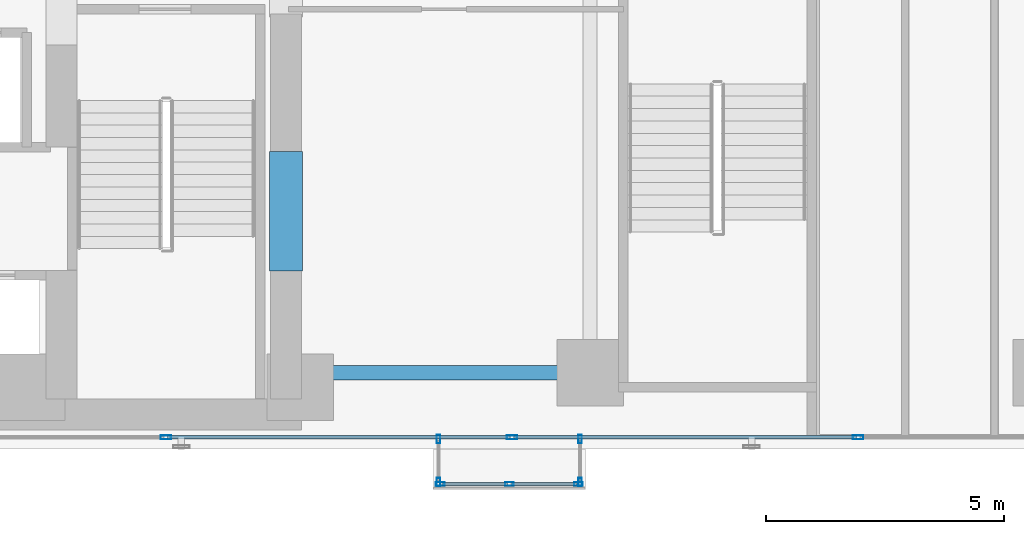
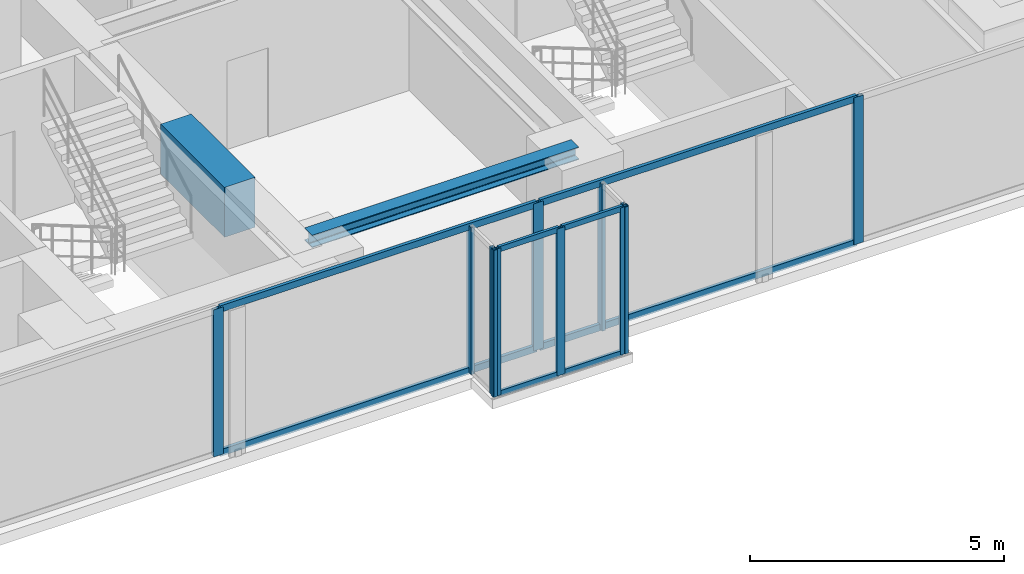
# One storey, part 4 of 24: 18 members, 2 beams, 4 elements without a shape of their own.
"""IFC4 building model written with IfcOpenShell, lengths in metres."""

from ifc_helpers import new_model, si_unit, direction, frame, origin, origin_with_axes, origin_2d, place, context, subcontext, project, spatial, rectangle, hollow_rectangle, i_section, extrude, source, transform, mapped, material, layer, layer_set, material_profile, profile_set, type_object, element, aggregate, save


model = new_model("IFC4")

# Units and contexts
model_context = context("Model", 3, precision=1e-05, world=origin(), true_north=direction((0.0, 1.0)))
body_context = subcontext(model_context, "Body", "Model", "MODEL_VIEW")
ifc_project = project(units=[si_unit("LENGTHUNIT", "METRE"), si_unit("AREAUNIT", "SQUARE_METRE"), si_unit("VOLUMEUNIT", "CUBIC_METRE"), si_unit("PLANEANGLEUNIT", "RADIAN"), si_unit("MASSUNIT", "GRAM", prefix="KILO")], contexts=[model_context])

# Site, building, storey
site_placement = place(None, origin())
site = spatial("IfcSite", under=ifc_project, at=site_placement, CompositionType="ELEMENT")
building_placement = place(site_placement, origin())
building = spatial("IfcBuilding", under=site, at=building_placement, Name="Kolvaren Waterfront Exchange", CompositionType="ELEMENT")
storey_placement = place(building_placement, frame((0.0, 0.0, 91.699951171875)))
storey = spatial("IfcBuildingStorey", under=building, at=storey_placement, Name="L23", CompositionType="ELEMENT", Elevation=91.699951171875)

# Beams
ifc_material_1 = material(Name="Steel S355", Category="steel")
ifc_material_profile_1 = material_profile(ifc_material_1, i_section(OverallWidth=0.300048828125, OverallDepth=0.300048828125, WebThickness=0.010986328125, FlangeThickness=0.01904296875, FilletRadius=0.027099609375, at=origin_2d()), Name="HEB300")
ifc_profile_set_1 = profile_set([ifc_material_profile_1], Name="Steel S355")
beam_type_1 = type_object("IfcBeamType", Name="STR-BM-HEB300", PredefinedType="SPANDREL", material=ifc_profile_set_1)
beam_1_placement = place(storey_placement, frame((21.125, 5.199951171875, 3.39013671875), z_axis=(1.0, 0.0, 0.0), x_axis=(0.0, 1.0, 0.0)))
element("IfcBeam", 1, at=beam_1_placement, inside=storey, type_object=beam_type_1, Name="L23 east-arm spandrel S1", PredefinedType="SPANDREL", context=body_context, shape_type="SweptSolid", body=[
    extrude(i_section(OverallWidth=0.300048828125, OverallDepth=0.300048828125, WebThickness=0.010986328125, FlangeThickness=0.01904296875, FilletRadius=0.027099609375, at=origin_2d()), origin(), (0.0, 0.0, 1.0), 6.074951171875),
])
ifc_material_2 = material(Name="Concrete C70/85", Category="concrete")
ifc_material_profile_2 = material_profile(ifc_material_2, rectangle(XDim=0.699951171875, YDim=1.199951171875, at=origin_2d()), Name="RC-CB-1200x700")
ifc_profile_set_2 = profile_set([ifc_material_profile_2], Name="Concrete C70/85")
beam_type_2 = type_object("IfcBeamType", Name="STR-CB-1200", PredefinedType="SPANDREL", material=ifc_profile_set_2)
beam_2_placement = place(storey_placement, frame((20.800048828125, 7.340087890625, 2.93994140625), z_axis=(0.0, 1.0, 0.0), x_axis=(-1.0, 0.0, 0.0)))
element("IfcBeam", 2, at=beam_2_placement, inside=storey, type_object=beam_type_2, Name="L23 core coupling beam 1", PredefinedType="SPANDREL", context=body_context, shape_type="SweptSolid", body=[
    extrude(rectangle(XDim=0.699951171875, YDim=1.199951171875, at=origin_2d()), origin(), (0.0, 0.0, 1.0), 2.52001953125),
])

# Curtain wall, members
ifc_material_3 = material(Name="Anodised bronze aluminium 6063-T6", Category="aluminium")
ifc_layer_1 = layer(ifc_material_3, 0.219970703125, Name="Anodised bronze aluminium 6063-T6")
ifc_layer_set_1 = layer_set([ifc_layer_1], Name="Anodised bronze aluminium 6063-T6")
curtain_wall_type_1 = type_object("IfcCurtainWallType", Name="ARC-CW-SYS3", PredefinedType="USERDEFINED", material=ifc_layer_set_1)
curtain_wall_1_placement = place(storey_placement, origin())
curtain_wall_1 = element("IfcCurtainWall", 3, at=curtain_wall_1_placement, inside=storey, type_object=curtain_wall_type_1, Name="L23 stick curtain wall CW3 (CW-L23-BOX-W)", ObjectType="STICK CURTAIN WALL", PredefinedType="USERDEFINED")
ifc_material_profile_3 = material_profile(ifc_material_3, hollow_rectangle(XDim=0.074951171875, YDim=0.179931640625, WallThickness=0.00439453125, at=origin_2d()), Name="ALU-MUL-180x75x4.5")
ifc_profile_set_3 = profile_set([ifc_material_profile_3], Name="Anodised bronze aluminium 6063-T6")
member_type_1 = type_object("IfcMemberType", Name="ARC-CWM-180", PredefinedType="MULLION", material=ifc_profile_set_3)
shared_shape_1 = source(origin_with_axes(), body_context, "Body", "SweptSolid", [
    extrude(hollow_rectangle(XDim=0.074951171875, YDim=0.179931640625, WallThickness=0.00439453125, at=origin_2d()), origin(), (0.0, 0.0, 1.0), 3.5400390625),
])
member_1_placement = place(storey_placement, frame((24.010009765625, 3.802490234375, 0.0), z_axis=(0.0, 0.0, 1.0), x_axis=(1.0, 0.0, 0.0)))
member_1 = element("IfcMember", 4, at=member_1_placement, type_object=member_type_1, Name="CW3 mullion 1", PredefinedType="MULLION", context=body_context, shape_type="MappedRepresentation", body=[
    mapped(shared_shape_1, transform((0.0, 0.0, 0.0), x_axis=(1.0, 0.0, 0.0), y_axis=(0.0, 1.0, 0.0), z_axis=(0.0, 0.0, 1.0), scale=1.0)),
])
member_2_placement = place(storey_placement, frame((24.010009765625, 2.8974609375, 0.0), z_axis=(0.0, 0.0, 1.0), x_axis=(1.0, 0.0, 0.0)))
member_2 = element("IfcMember", 5, at=member_2_placement, type_object=member_type_1, Name="CW3 mullion 2", PredefinedType="MULLION", context=body_context, shape_type="MappedRepresentation", body=[
    mapped(shared_shape_1, transform((0.0, 0.0, 0.0), x_axis=(1.0, 0.0, 0.0), y_axis=(0.0, 1.0, 0.0), z_axis=(0.0, 0.0, 1.0), scale=1.0)),
])
aggregate(curtain_wall_1, [member_1, member_2])

curtain_wall_2_placement = place(storey_placement, origin())
curtain_wall_2 = element("IfcCurtainWall", 6, at=curtain_wall_2_placement, inside=storey, type_object=curtain_wall_type_1, Name="L23 stick curtain wall CW3 (CW-L23-BOX)", ObjectType="STICK CURTAIN WALL", PredefinedType="USERDEFINED")
member_3_placement = place(storey_placement, frame((24.047607421875, 2.860107421875, 0.0), z_axis=(0.0, 0.0, 1.0), x_axis=(0.0, 1.0, 0.0)))
member_3 = element("IfcMember", 7, at=member_3_placement, type_object=member_type_1, Name="CW3 mullion 1", PredefinedType="MULLION", context=body_context, shape_type="MappedRepresentation", body=[
    mapped(shared_shape_1, transform((0.0, 0.0, 0.0), x_axis=(1.0, 0.0, 0.0), y_axis=(0.0, 1.0, 0.0), z_axis=(0.0, 0.0, 1.0), scale=1.0)),
])
member_4_placement = place(storey_placement, frame((25.5, 2.860107421875, 0.0), z_axis=(0.0, 0.0, 1.0), x_axis=(0.0, 1.0, 0.0)))
member_4 = element("IfcMember", 8, at=member_4_placement, type_object=member_type_1, Name="CW3 mullion 2", PredefinedType="MULLION", context=body_context, shape_type="MappedRepresentation", body=[
    mapped(shared_shape_1, transform((0.0, 0.0, 0.0), x_axis=(1.0, 0.0, 0.0), y_axis=(0.0, 1.0, 0.0), z_axis=(0.0, 0.0, 1.0), scale=1.0)),
])
member_5_placement = place(storey_placement, frame((26.952392578125, 2.860107421875, 0.0), z_axis=(0.0, 0.0, 1.0), x_axis=(0.0, 1.0, 0.0)))
member_5 = element("IfcMember", 9, at=member_5_placement, type_object=member_type_1, Name="CW3 mullion 3", PredefinedType="MULLION", context=body_context, shape_type="MappedRepresentation", body=[
    mapped(shared_shape_1, transform((0.0, 0.0, 0.0), x_axis=(1.0, 0.0, 0.0), y_axis=(0.0, 1.0, 0.0), z_axis=(0.0, 0.0, 1.0), scale=1.0)),
])

curtain_wall_3_placement = place(storey_placement, origin())
curtain_wall_3 = element("IfcCurtainWall", 10, at=curtain_wall_3_placement, inside=storey, type_object=curtain_wall_type_1, Name="L23 stick curtain wall CW3 (CW-L23-BOX-E)", ObjectType="STICK CURTAIN WALL", PredefinedType="USERDEFINED")
member_6_placement = place(storey_placement, frame((26.989990234375, 2.8974609375, 0.0), z_axis=(0.0, 0.0, 1.0), x_axis=(-1.0, 0.0, 0.0)))
member_6 = element("IfcMember", 11, at=member_6_placement, type_object=member_type_1, Name="CW3 mullion 1", PredefinedType="MULLION", context=body_context, shape_type="MappedRepresentation", body=[
    mapped(shared_shape_1, transform((0.0, 0.0, 0.0), x_axis=(1.0, 0.0, 0.0), y_axis=(0.0, 1.0, 0.0), z_axis=(0.0, 0.0, 1.0), scale=1.0)),
])
member_7_placement = place(storey_placement, frame((26.989990234375, 3.802490234375, 0.0), z_axis=(0.0, 0.0, 1.0), x_axis=(-1.0, 0.0, 0.0)))
member_7 = element("IfcMember", 12, at=member_7_placement, type_object=member_type_1, Name="CW3 mullion 2", PredefinedType="MULLION", context=body_context, shape_type="MappedRepresentation", body=[
    mapped(shared_shape_1, transform((0.0, 0.0, 0.0), x_axis=(1.0, 0.0, 0.0), y_axis=(0.0, 1.0, 0.0), z_axis=(0.0, 0.0, 1.0), scale=1.0)),
])
aggregate(curtain_wall_3, [member_6, member_7])

# Member
ifc_material_profile_4 = material_profile(ifc_material_3, hollow_rectangle(XDim=0.06494140625, YDim=0.1298828125, WallThickness=0.00390625, at=origin_2d()), Name="ALU-TRN-130x65x4")
ifc_profile_set_4 = profile_set([ifc_material_profile_4], Name="Anodised bronze aluminium 6063-T6")
member_type_2 = type_object("IfcMemberType", Name="ARC-CWT-130", PredefinedType="USERDEFINED", material=ifc_profile_set_4)
shared_shape_2 = source(origin_with_axes(), body_context, "Body", "SweptSolid", [
    extrude(hollow_rectangle(XDim=0.06494140625, YDim=0.1298828125, WallThickness=0.00390625, at=origin_2d()), origin(), (0.0, 0.0, 1.0), 1.37744140625),
])
member_8_placement = place(storey_placement, frame((24.0849609375, 2.860107421875, 0.032470703125), z_axis=(1.0, 0.0, 0.0), x_axis=(0.0, 1.0, 0.0)))
member_8 = element("IfcMember", 13, at=member_8_placement, type_object=member_type_2, Name="CW3 transom 1.1", ObjectType="TRANSOM", PredefinedType="USERDEFINED", context=body_context, shape_type="MappedRepresentation", body=[
    mapped(shared_shape_2, transform((0.0, 0.0, 0.0), x_axis=(1.0, 0.0, 0.0), y_axis=(0.0, 1.0, 0.0), z_axis=(0.0, 0.0, 1.0), scale=1.0)),
])

member_9_placement = place(storey_placement, frame((24.0849609375, 2.860107421875, 3.507568359375), z_axis=(1.0, 0.0, 0.0), x_axis=(0.0, 1.0, 0.0)))
member_9 = element("IfcMember", 14, at=member_9_placement, type_object=member_type_2, Name="CW3 transom 1.2", ObjectType="TRANSOM", PredefinedType="USERDEFINED", context=body_context, shape_type="MappedRepresentation", body=[
    mapped(shared_shape_2, transform((0.0, 0.0, 0.0), x_axis=(1.0, 0.0, 0.0), y_axis=(0.0, 1.0, 0.0), z_axis=(0.0, 0.0, 1.0), scale=1.0)),
])

member_10_placement = place(storey_placement, frame((25.53759765625, 2.860107421875, 0.032470703125), z_axis=(1.0, 0.0, 0.0), x_axis=(0.0, 1.0, 0.0)))
member_10 = element("IfcMember", 15, at=member_10_placement, type_object=member_type_2, Name="CW3 transom 2.1", ObjectType="TRANSOM", PredefinedType="USERDEFINED", context=body_context, shape_type="MappedRepresentation", body=[
    mapped(shared_shape_2, transform((0.0, 0.0, 0.0), x_axis=(1.0, 0.0, 0.0), y_axis=(0.0, 1.0, 0.0), z_axis=(0.0, 0.0, 1.0), scale=1.0)),
])

member_11_placement = place(storey_placement, frame((25.53759765625, 2.860107421875, 3.507568359375), z_axis=(1.0, 0.0, 0.0), x_axis=(0.0, 1.0, 0.0)))
member_11 = element("IfcMember", 16, at=member_11_placement, type_object=member_type_2, Name="CW3 transom 2.2", ObjectType="TRANSOM", PredefinedType="USERDEFINED", context=body_context, shape_type="MappedRepresentation", body=[
    mapped(shared_shape_2, transform((0.0, 0.0, 0.0), x_axis=(1.0, 0.0, 0.0), y_axis=(0.0, 1.0, 0.0), z_axis=(0.0, 0.0, 1.0), scale=1.0)),
])

aggregate(curtain_wall_2, [member_3, member_4, member_5, member_8, member_9, member_10, member_11])

# Curtain wall, members
ifc_layer_2 = layer(ifc_material_3, 0.219970703125, Name="Anodised bronze aluminium 6063-T6")
ifc_layer_set_2 = layer_set([ifc_layer_2], Name="Anodised bronze aluminium 6063-T6")
curtain_wall_type_2 = type_object("IfcCurtainWallType", Name="ARC-CW-SYS1", PredefinedType="USERDEFINED", material=ifc_layer_set_2)
curtain_wall_4_placement = place(storey_placement, origin())
curtain_wall_4 = element("IfcCurtainWall", 17, at=curtain_wall_4_placement, inside=storey, type_object=curtain_wall_type_2, Name="L23 stick curtain wall CW1 (CW-L23-S)", ObjectType="STICK CURTAIN WALL", PredefinedType="USERDEFINED")
ifc_material_4 = material(Name="Anodised aluminium 6063-T6", Category="aluminium")
ifc_material_profile_5 = material_profile(ifc_material_4, hollow_rectangle(XDim=0.080078125, YDim=0.219970703125, WallThickness=0.0048828125, at=origin_2d()), Name="ALU-MUL-220x80x5")
ifc_profile_set_5 = profile_set([ifc_material_profile_5], Name="Anodised aluminium 6063-T6")
member_type_3 = type_object("IfcMemberType", Name="ARC-CWM-220", PredefinedType="MULLION", material=ifc_profile_set_5)
shared_shape_3 = source(origin_with_axes(), body_context, "Body", "SweptSolid", [
    extrude(hollow_rectangle(XDim=0.080078125, YDim=0.219970703125, WallThickness=0.0048828125, at=origin_2d()), origin(), (0.0, 0.0, 1.0), 3.5400390625),
])
member_12_placement = place(storey_placement, frame((18.271484375, 3.840087890625, 0.0), z_axis=(0.0, 0.0, 1.0), x_axis=(0.0, 1.0, 0.0)))
member_12 = element("IfcMember", 18, at=member_12_placement, type_object=member_type_3, Name="CW1 mullion 3", PredefinedType="MULLION", context=body_context, shape_type="MappedRepresentation", body=[
    mapped(shared_shape_3, transform((0.0, 0.0, 0.0), x_axis=(1.0, 0.0, 0.0), y_axis=(0.0, 1.0, 0.0), z_axis=(0.0, 0.0, 1.0), scale=1.0)),
])
member_13_placement = place(storey_placement, frame((25.55712890625, 3.840087890625, 0.0), z_axis=(0.0, 0.0, 1.0), x_axis=(0.0, 1.0, 0.0)))
member_13 = element("IfcMember", 19, at=member_13_placement, type_object=member_type_3, Name="CW1 mullion 4", PredefinedType="MULLION", context=body_context, shape_type="MappedRepresentation", body=[
    mapped(shared_shape_3, transform((0.0, 0.0, 0.0), x_axis=(1.0, 0.0, 0.0), y_axis=(0.0, 1.0, 0.0), z_axis=(0.0, 0.0, 1.0), scale=1.0)),
])
member_14_placement = place(storey_placement, frame((32.8427734375, 3.840087890625, 0.0), z_axis=(0.0, 0.0, 1.0), x_axis=(0.0, 1.0, 0.0)))
member_14 = element("IfcMember", 20, at=member_14_placement, type_object=member_type_3, Name="CW1 mullion 5", PredefinedType="MULLION", context=body_context, shape_type="MappedRepresentation", body=[
    mapped(shared_shape_3, transform((0.0, 0.0, 0.0), x_axis=(1.0, 0.0, 0.0), y_axis=(0.0, 1.0, 0.0), z_axis=(0.0, 0.0, 1.0), scale=1.0)),
])
ifc_material_profile_6 = material_profile(ifc_material_4, hollow_rectangle(XDim=0.074951171875, YDim=0.159912109375, WallThickness=0.00439453125, at=origin_2d()), Name="ALU-TRN-160x75x4.5")
ifc_profile_set_6 = profile_set([ifc_material_profile_6], Name="Anodised aluminium 6063-T6")
member_type_4 = type_object("IfcMemberType", Name="ARC-CWT-160", PredefinedType="USERDEFINED", material=ifc_profile_set_6)
shared_shape_4 = source(origin_with_axes(), body_context, "Body", "SweptSolid", [
    extrude(hollow_rectangle(XDim=0.074951171875, YDim=0.159912109375, WallThickness=0.00439453125, at=origin_2d()), origin(), (0.0, 0.0, 1.0), 7.205810546875),
])
member_15_placement = place(storey_placement, frame((25.59716796875, 3.840087890625, 0.03759765625), z_axis=(1.0, 0.0, 0.0), x_axis=(0.0, 1.0, 0.0)))
member_15 = element("IfcMember", 21, at=member_15_placement, type_object=member_type_4, Name="CW1 transom 4.1", ObjectType="TRANSOM", PredefinedType="USERDEFINED", context=body_context, shape_type="MappedRepresentation", body=[
    mapped(shared_shape_4, transform((0.0, 0.0, 0.0), x_axis=(1.0, 0.0, 0.0), y_axis=(0.0, 1.0, 0.0), z_axis=(0.0, 0.0, 1.0), scale=1.0)),
])
member_16_placement = place(storey_placement, frame((25.59716796875, 3.840087890625, 3.50244140625), z_axis=(1.0, 0.0, 0.0), x_axis=(0.0, 1.0, 0.0)))
member_16 = element("IfcMember", 22, at=member_16_placement, type_object=member_type_4, Name="CW1 transom 4.2", ObjectType="TRANSOM", PredefinedType="USERDEFINED", context=body_context, shape_type="MappedRepresentation", body=[
    mapped(shared_shape_4, transform((0.0, 0.0, 0.0), x_axis=(1.0, 0.0, 0.0), y_axis=(0.0, 1.0, 0.0), z_axis=(0.0, 0.0, 1.0), scale=1.0)),
])
shared_shape_5 = source(origin_with_axes(), body_context, "Body", "SweptSolid", [
    extrude(hollow_rectangle(XDim=0.074951171875, YDim=0.159912109375, WallThickness=0.00439453125, at=origin_2d()), origin(), (0.0, 0.0, 1.0), 7.20556640625),
])
member_17_placement = place(storey_placement, frame((18.3115234375, 3.840087890625, 0.03759765625), z_axis=(1.0, 0.0, 0.0), x_axis=(0.0, 1.0, 0.0)))
member_17 = element("IfcMember", 23, at=member_17_placement, type_object=member_type_4, Name="CW1 transom 3.1", ObjectType="TRANSOM", PredefinedType="USERDEFINED", context=body_context, shape_type="MappedRepresentation", body=[
    mapped(shared_shape_5, transform((0.0, 0.0, 0.0), x_axis=(1.0, 0.0, 0.0), y_axis=(0.0, 1.0, 0.0), z_axis=(0.0, 0.0, 1.0), scale=1.0)),
])
member_18_placement = place(storey_placement, frame((18.3115234375, 3.840087890625, 3.50244140625), z_axis=(1.0, 0.0, 0.0), x_axis=(0.0, 1.0, 0.0)))
member_18 = element("IfcMember", 24, at=member_18_placement, type_object=member_type_4, Name="CW1 transom 3.2", ObjectType="TRANSOM", PredefinedType="USERDEFINED", context=body_context, shape_type="MappedRepresentation", body=[
    mapped(shared_shape_5, transform((0.0, 0.0, 0.0), x_axis=(1.0, 0.0, 0.0), y_axis=(0.0, 1.0, 0.0), z_axis=(0.0, 0.0, 1.0), scale=1.0)),
])
aggregate(curtain_wall_4, [member_12, member_13, member_14, member_17, member_18, member_15, member_16])

save(model, "model.ifc")
